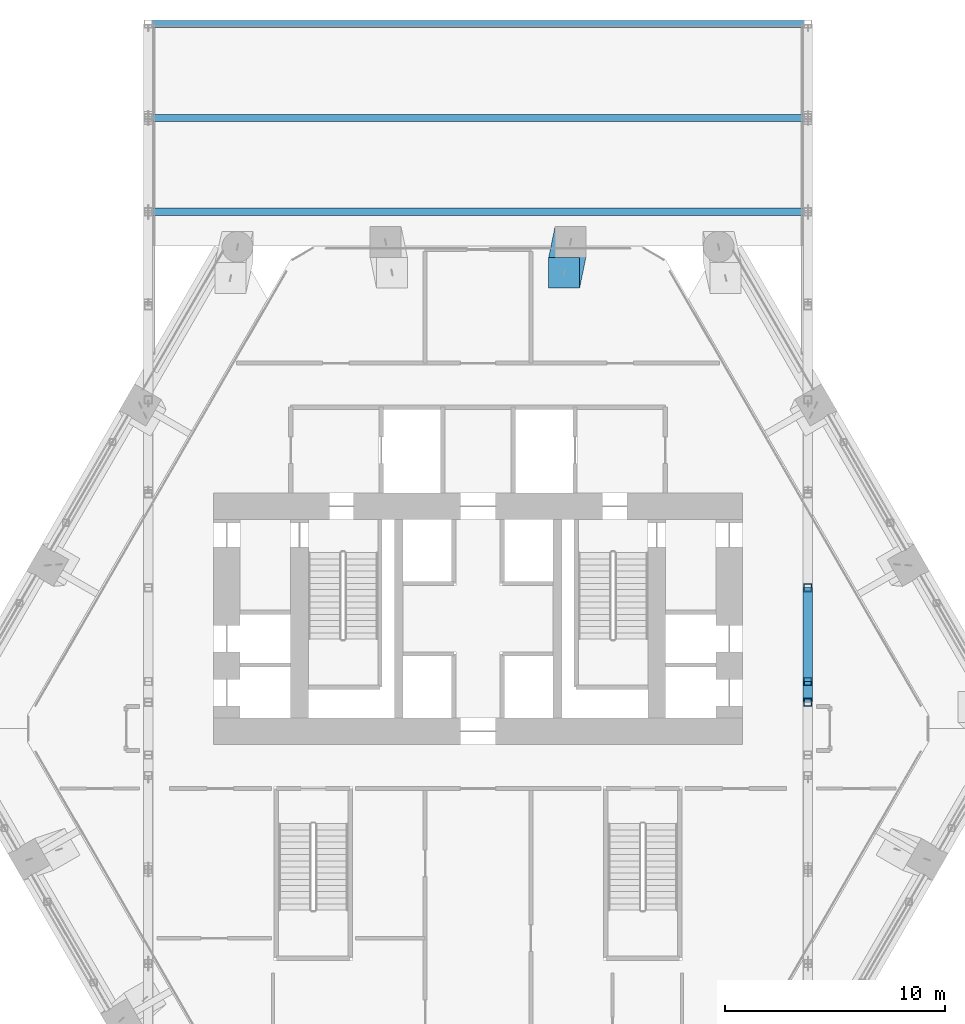
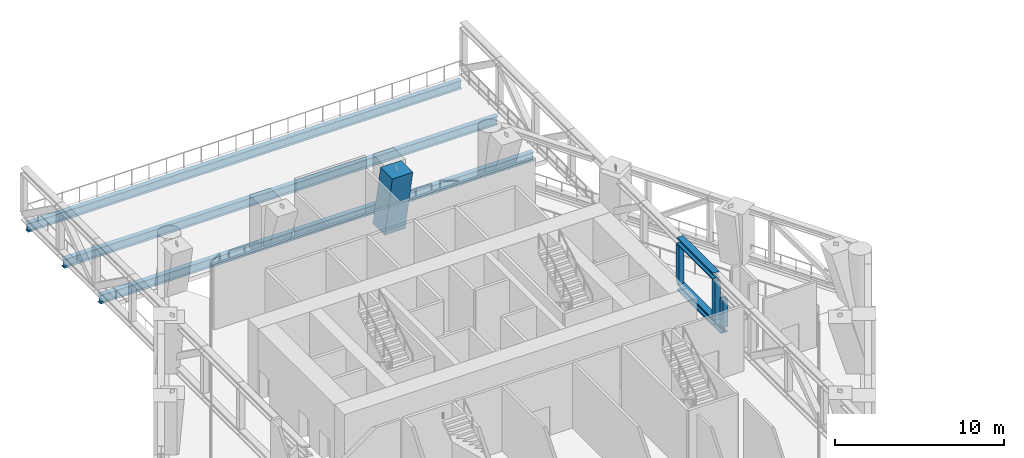
# One storey, part 6 of 20: 7 members, 3 beams.
"""IFC4 building model written with IfcOpenShell, lengths in metres."""

from ifc_helpers import new_model, si_unit, direction, frame, origin, origin_2d, place, context, subcontext, project, spatial, rectangle, hollow_rectangle, i_section, extrude, material, material_profile, profile_set, type_object, element, save


model = new_model("IFC4")

# Units and contexts
model_context = context("Model", 3, precision=1e-05, world=origin(), true_north=direction((0.0, 1.0)))
body_context = subcontext(model_context, "Body", "Model", "MODEL_VIEW")
ifc_project = project(units=[si_unit("LENGTHUNIT", "METRE"), si_unit("AREAUNIT", "SQUARE_METRE"), si_unit("VOLUMEUNIT", "CUBIC_METRE"), si_unit("PLANEANGLEUNIT", "RADIAN"), si_unit("MASSUNIT", "GRAM", prefix="KILO")], contexts=[model_context])

# Site, building, storey
site_placement = place(None, origin())
site = spatial("IfcSite", under=ifc_project, at=site_placement, CompositionType="ELEMENT")
building_placement = place(site_placement, origin())
building = spatial("IfcBuilding", under=site, at=building_placement, Name="Ostrander Bayou Hotel Tower", CompositionType="ELEMENT")
storey_placement = place(building_placement, frame((0.0, 0.0, 80.5)))
storey = spatial("IfcBuildingStorey", under=building, at=storey_placement, Name="L20", CompositionType="ELEMENT", Elevation=80.5)

# Member
ifc_material_1 = material(Name="Concrete f'c 70 MPa", Category="concrete")
ifc_material_profile_1 = material_profile(ifc_material_1, rectangle(XDim=1.39990234375, YDim=1.39990234375, at=origin_2d()))
ifc_profile_set_1 = profile_set([ifc_material_profile_1], Name="Concrete f'c 70 MPa")
member_type_1 = type_object("IfcMemberType", Name="KC1 kinked column 1400 x 1400 mm f'c 70 MPa", PredefinedType="STRUT", material=ifc_profile_set_1)
member_1_placement = place(storey_placement, frame((4.1953125, 21.10009765625, -1.199951171875), z_axis=(0.0, 0.0, 1.0), x_axis=(1.0, 0.0, 0.0)))
element("IfcMember", 1, at=member_1_placement, inside=storey, type_object=member_type_1, Name="KC1 L20 N1", PredefinedType="STRUT", context=body_context, shape_type="SweptSolid", body=[
    extrude(rectangle(XDim=1.39990234375, YDim=1.39990234375, at=origin_2d()), origin(), (-0.055491260769, -0.269240592648, 0.961472944627), 5.200439453125),
])

# Beams
ifc_material_2 = material(Name="Steel ASTM A992", Category="steel")
ifc_material_profile_2 = material_profile(ifc_material_2, i_section(OverallWidth=0.32763671875, OverallDepth=0.621826171875, WebThickness=0.015380859375, FlangeThickness=0.0244140625, at=origin_2d()))
ifc_profile_set_2 = profile_set([ifc_material_profile_2], Name="Steel ASTM A992")
beam_type = type_object("IfcBeamType", Name="TF1 bar floor beam W24x131", PredefinedType="BEAM", material=ifc_profile_set_2)
for number, where, z_axis, x_axis, name in (
    (2, (-14.787109375, 30.986083984375, -0.61083984375), (1.0, 0.0, 0.0), (0.0, 1.0, 0.0), "TF1 SB1W L5-1"),
    (3, (-14.787109375, 26.723876953125, -0.61083984375), (1.0, 0.0, 0.0), (0.0, 1.0, 0.0), "TF1 SB1W L5-2"),
    (4, (-14.787109375, 22.46142578125, -0.61083984375), (1.0, 0.0, 0.0), (0.0, 1.0, 0.0), "TF1 SB1W L5-3"),
):
    element("IfcBeam", number, at=place(storey_placement, frame(where, z_axis=z_axis, x_axis=x_axis)), inside=storey, type_object=beam_type, Name=name, PredefinedType="BEAM", context=body_context, shape_type="SweptSolid", body=[
        extrude(i_section(OverallWidth=0.32763671875, OverallDepth=0.621826171875, WebThickness=0.015380859375, FlangeThickness=0.0244140625, at=origin_2d()), origin(), (0.0, 0.0, 1.0), 29.57421875),
    ])

# Members
ifc_material_3 = material(Name="Steel ASTM A992", Category="steel")
ifc_material_profile_3 = material_profile(ifc_material_3, i_section(OverallWidth=0.43212890625, OverallDepth=0.497802734375, WebThickness=0.0556640625, FlangeThickness=0.0888671875, at=origin_2d()))
ifc_profile_set_3 = profile_set([ifc_material_profile_3], Name="Steel ASTM A992")
member_type_2 = type_object("IfcMemberType", Name="TT1 through-truss chord W14x500", PredefinedType="CHORD", material=ifc_profile_set_3)
for number, where, z_axis, x_axis, name in (
    (5, (14.965087890625, 5.41162109375, 0.248779296875), (0.0, -1.0, 0.0), (1.0, 0.0, 0.0), "TT1 SB1B B7"),
    (6, (14.965087890625, 5.41162109375, 3.551025390625), (0.0, -1.0, 0.0), (1.0, 0.0, 0.0), "TT1 SB1B T7"),
):
    element("IfcMember", number, at=place(storey_placement, frame(where, z_axis=z_axis, x_axis=x_axis)), inside=storey, type_object=member_type_2, Name=name, PredefinedType="CHORD", context=body_context, shape_type="SweptSolid", body=[
        extrude(i_section(OverallWidth=0.43212890625, OverallDepth=0.497802734375, WebThickness=0.0556640625, FlangeThickness=0.0888671875, at=origin_2d()), origin(), (0.0, 0.0, 1.0), 4.26220703125),
    ])
member_2_placement = place(storey_placement, frame((14.965087890625, 1.1494140625, 0.248779296875), z_axis=(0.0, -1.0, 0.0), x_axis=(1.0, 0.0, 0.0)))
element("IfcMember", 7, at=member_2_placement, inside=storey, type_object=member_type_2, Name="TT1 SB1B B8", PredefinedType="CHORD", context=body_context, shape_type="SweptSolid", body=[
    extrude(i_section(OverallWidth=0.43212890625, OverallDepth=0.497802734375, WebThickness=0.0556640625, FlangeThickness=0.0888671875, at=origin_2d()), origin(), (0.0, 0.0, 1.0), 0.931396484375),
])
ifc_material_4 = material(Name="Steel ASTM A500 Gr C", Category="steel")
ifc_material_profile_4 = material_profile(ifc_material_4, hollow_rectangle(XDim=0.355712890625, YDim=0.355712890625, WallThickness=0.0146484375, at=origin_2d()))
ifc_profile_set_4 = profile_set([ifc_material_profile_4], Name="Steel ASTM A500 Gr C")
member_type_3 = type_object("IfcMemberType", Name="TT2 through-truss post HSS14x14x5/8", PredefinedType="POST", material=ifc_profile_set_4)
for number, where, z_axis, x_axis, name in (
    (8, (14.965087890625, 5.41162109375, 0.497802734375), (0.0, 0.0, 1.0), (1.0, 0.0, 0.0), "TT2 SB1B P7"),
    (9, (14.965087890625, 1.1494140625, 0.497802734375), (0.0, 0.0, 1.0), (1.0, 0.0, 0.0), "TT2 SB1B P8"),
):
    element("IfcMember", number, at=place(storey_placement, frame(where, z_axis=z_axis, x_axis=x_axis)), inside=storey, type_object=member_type_3, Name=name, PredefinedType="POST", context=body_context, shape_type="SweptSolid", body=[
        extrude(hollow_rectangle(XDim=0.355712890625, YDim=0.355712890625, WallThickness=0.0146484375, at=origin_2d()), origin(), (0.0, 0.0, 1.0), 2.804443359375),
    ])
member_3_placement = place(storey_placement, frame((14.965087890625, 0.218017578125, 0.497802734375), z_axis=(0.0, 0.0, 1.0), x_axis=(1.0, 0.0, 0.0)))
element("IfcMember", 10, at=member_3_placement, inside=storey, type_object=member_type_3, Name="TT2 SB1B KN8a", PredefinedType="POST", context=body_context, shape_type="SweptSolid", body=[
    extrude(hollow_rectangle(XDim=0.355712890625, YDim=0.355712890625, WallThickness=0.0146484375, at=origin_2d()), origin(), (0.0, 0.0, 1.0), 2.002197265625),
])

save(model, "model.ifc")
